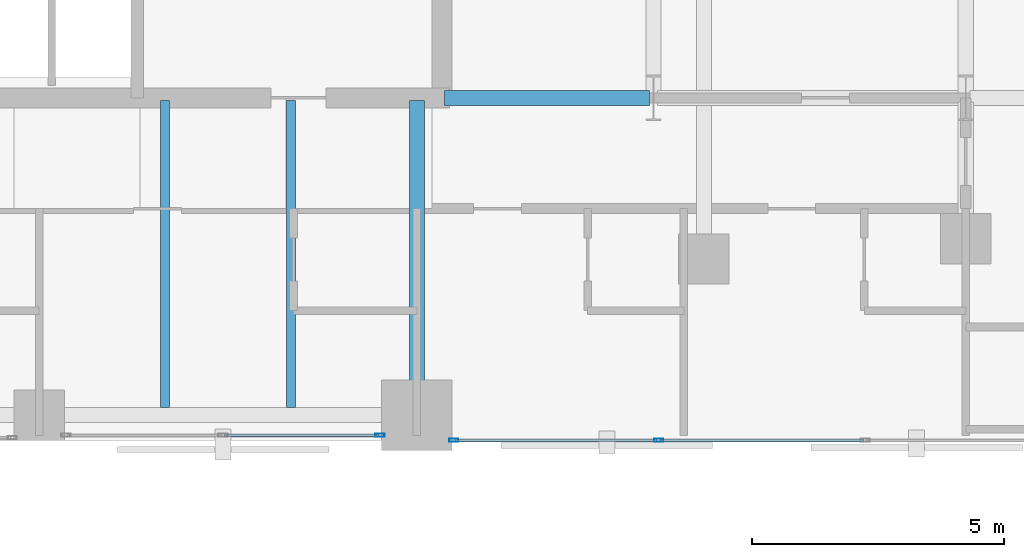
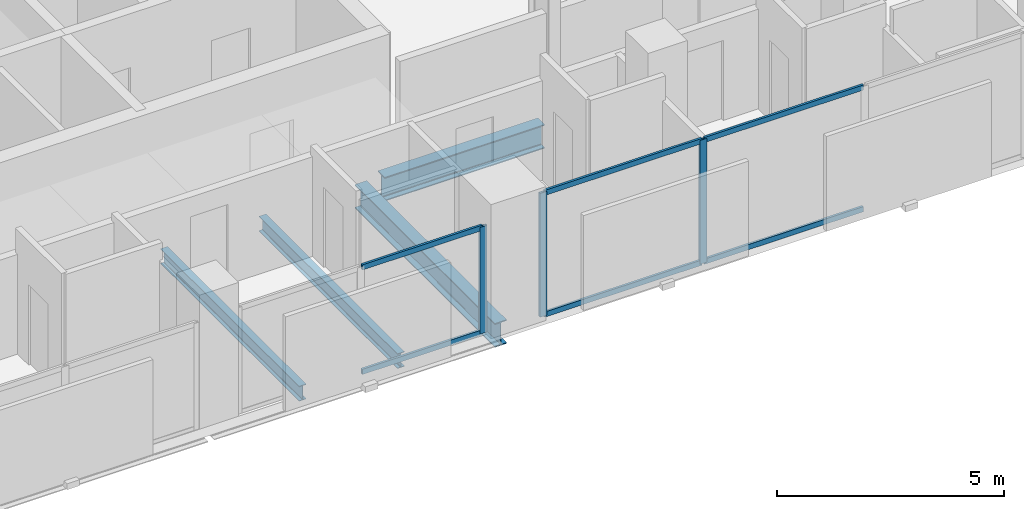
# One storey, part 14 of 32: 9 members, 4 beams, 2 elements without a shape of their own.
"""IFC4 building model written with IfcOpenShell, lengths in metres."""

from ifc_helpers import new_model, si_unit, direction, frame, origin, origin_2d, place, context, subcontext, project, spatial, hollow_rectangle, i_section, extrude, material, layer, layer_set, material_profile, profile_set, type_object, element, aggregate, save


model = new_model("IFC4")

# Units and contexts
model_context = context("Model", 3, precision=1e-05, world=origin(), true_north=direction((0.0, 1.0)))
body_context = subcontext(model_context, "Body", "Model", "MODEL_VIEW")
ifc_project = project(units=[si_unit("LENGTHUNIT", "METRE"), si_unit("AREAUNIT", "SQUARE_METRE"), si_unit("VOLUMEUNIT", "CUBIC_METRE"), si_unit("PLANEANGLEUNIT", "RADIAN"), si_unit("MASSUNIT", "GRAM", prefix="KILO")], contexts=[model_context])

# Site, building, storey
site_placement = place(None, origin())
site = spatial("IfcSite", under=ifc_project, at=site_placement, CompositionType="ELEMENT")
building_placement = place(site_placement, origin())
building = spatial("IfcBuilding", under=site, at=building_placement, Name="Catumbela Crestline Tower", CompositionType="ELEMENT")
storey_placement = place(building_placement, frame((0.0, 0.0, 29.4)))
storey = spatial("IfcBuildingStorey", under=building, at=storey_placement, Name="L06", CompositionType="ELEMENT", Elevation=29.4)

# Beams
ifc_material_1 = material(Name="Structural steel S355J2", Category="steel")
ifc_material_profile_1 = material_profile(ifc_material_1, i_section(OverallWidth=0.3, OverallDepth=0.64, WebThickness=0.0135, FlangeThickness=0.026, FilletRadius=0.027, at=origin_2d()), Name="HEA 650")
ifc_profile_set_1 = profile_set([ifc_material_profile_1], Name="Structural steel S355J2")
beam_type_1 = type_object("IfcBeamType", Name="BG-HEA650", PredefinedType="BEAM", material=ifc_profile_set_1)
beam_1_placement = place(storey_placement, frame((40.05, 30.8, -0.58), z_axis=(1.0, 0.0, 0.0), x_axis=(0.0, 1.0, 0.0)))
element("IfcBeam", 1, at=beam_1_placement, inside=storey, type_object=beam_type_1, Name="L06 Beam BM-L06-M10", PredefinedType="BEAM", context=body_context, shape_type="SweptSolid", body=[
    extrude(i_section(OverallWidth=0.3, OverallDepth=0.64, WebThickness=0.0135, FlangeThickness=0.026, FilletRadius=0.027, at=origin_2d()), origin(), (0.0, 0.0, 1.0), 4.07),
])
beam_2_placement = place(storey_placement, frame((39.5, 24.58, -0.58), z_axis=(0.0, 1.0, 0.0), x_axis=(-1.0, 0.0, 0.0)))
element("IfcBeam", 2, at=beam_2_placement, inside=storey, type_object=beam_type_1, Name="L06 Beam BM-L06-SNS34", PredefinedType="BEAM", context=body_context, shape_type="SweptSolid", body=[
    extrude(i_section(OverallWidth=0.3, OverallDepth=0.64, WebThickness=0.0135, FlangeThickness=0.026, FilletRadius=0.027, at=origin_2d()), origin(), (0.0, 0.0, 1.0), 6.17),
])
ifc_material_profile_2 = material_profile(ifc_material_1, i_section(OverallWidth=0.18, OverallDepth=0.4, WebThickness=0.0086, FlangeThickness=0.0135, FilletRadius=0.021, at=origin_2d()), Name="IPE 400")
ifc_profile_set_2 = profile_set([ifc_material_profile_2], Name="Structural steel S355J2")
beam_type_2 = type_object("IfcBeamType", Name="BJ-IPE400", PredefinedType="JOIST", material=ifc_profile_set_2)
for number, where, z_axis, x_axis, name in (
    (3, (34.5, 24.647, -0.46), (0.0, 1.0, 0.0), (-1.0, 0.0, 0.0), "L06 Joist JS-L06-SP46"),
    (4, (37.0, 24.647, -0.46), (0.0, 1.0, 0.0), (-1.0, 0.0, 0.0), "L06 Joist JS-L06-SP47"),
):
    element("IfcBeam", number, at=place(storey_placement, frame(where, z_axis=z_axis, x_axis=x_axis)), inside=storey, type_object=beam_type_2, Name=name, PredefinedType="JOIST", context=body_context, shape_type="SweptSolid", body=[
        extrude(i_section(OverallWidth=0.18, OverallDepth=0.4, WebThickness=0.0086, FlangeThickness=0.0135, FilletRadius=0.021, at=origin_2d()), origin(), (0.0, 0.0, 1.0), 6.103),
    ])

# Curtain wall, member
ifc_material_2 = material(Name="Aluminium alloy AW-6060-T66", Category="aluminium")
ifc_layer = layer(ifc_material_2, 0.18, Name="Aluminium alloy AW-6060-T66")
ifc_layer_set = layer_set([ifc_layer], Name="Aluminium alloy AW-6060-T66")
curtain_wall_type = type_object("IfcCurtainWallType", Name="CWU-Z1", PredefinedType="USERDEFINED", material=ifc_layer_set)
curtain_wall_1_placement = place(storey_placement, origin())
curtain_wall_1 = element("IfcCurtainWall", 5, at=curtain_wall_1_placement, inside=storey, type_object=curtain_wall_type, Name="L06 Unitised Curtain Wall CW-L06-E3S2", ObjectType="UNITISED", PredefinedType="USERDEFINED")
ifc_material_profile_3 = material_profile(ifc_material_2, hollow_rectangle(XDim=0.065, YDim=0.18, WallThickness=0.004, at=origin_2d()), Name="ALU 180x65x4")
ifc_profile_set_3 = profile_set([ifc_material_profile_3], Name="Aluminium alloy AW-6060-T66")
member_type_1 = type_object("IfcMemberType", Name="MUL-180X65", PredefinedType="MULLION", material=ifc_profile_set_3)
member_1_placement = place(storey_placement, frame((38.7675, 24.1, 0.0), z_axis=(0.0, 0.0, 1.0), x_axis=(0.0, 1.0, 0.0)))
member_1 = element("IfcMember", 6, at=member_1_placement, type_object=member_type_1, Name="CWU-Z1 mullion 3", PredefinedType="MULLION", context=body_context, shape_type="SweptSolid", body=[
    extrude(hollow_rectangle(XDim=0.065, YDim=0.18, WallThickness=0.004, at=origin_2d()), origin(), (0.0, 0.0, 1.0), 2.87),
])

# Curtain wall, members
curtain_wall_2_placement = place(storey_placement, origin())
curtain_wall_2 = element("IfcCurtainWall", 7, at=curtain_wall_2_placement, inside=storey, type_object=curtain_wall_type, Name="L06 Unitised Curtain Wall CW-L06-E3S3", ObjectType="UNITISED", PredefinedType="USERDEFINED")
member_2_placement = place(storey_placement, frame((40.2325, 24.0, 0.0), z_axis=(0.0, 0.0, 1.0), x_axis=(0.0, 1.0, 0.0)))
member_2 = element("IfcMember", 8, at=member_2_placement, type_object=member_type_1, Name="CWU-Z1 mullion 1", PredefinedType="MULLION", context=body_context, shape_type="SweptSolid", body=[
    extrude(hollow_rectangle(XDim=0.065, YDim=0.18, WallThickness=0.004, at=origin_2d()), origin(), (0.0, 0.0, 1.0), 3.33),
])
member_3_placement = place(storey_placement, frame((44.3, 24.0, 0.0), z_axis=(0.0, 0.0, 1.0), x_axis=(0.0, 1.0, 0.0)))
member_3 = element("IfcMember", 9, at=member_3_placement, type_object=member_type_1, Name="CWU-Z1 mullion 2", PredefinedType="MULLION", context=body_context, shape_type="SweptSolid", body=[
    extrude(hollow_rectangle(XDim=0.065, YDim=0.18, WallThickness=0.004, at=origin_2d()), origin(), (0.0, 0.0, 1.0), 3.33),
])

# Member
ifc_material_profile_4 = material_profile(ifc_material_2, hollow_rectangle(XDim=0.06, YDim=0.14, WallThickness=0.004, at=origin_2d()), Name="ALU 140x60x4")
ifc_profile_set_4 = profile_set([ifc_material_profile_4], Name="Aluminium alloy AW-6060-T66")
member_type_2 = type_object("IfcMemberType", Name="TRN-140X60", PredefinedType="USERDEFINED", material=ifc_profile_set_4)
member_4_placement = place(storey_placement, frame((35.6825, 24.1, 0.03), z_axis=(1.0, 0.0, 0.0), x_axis=(0.0, 1.0, 0.0)))
member_4 = element("IfcMember", 10, at=member_4_placement, type_object=member_type_2, Name="CWU-Z1 transom 2.1", ObjectType="TRANSOM", PredefinedType="USERDEFINED", context=body_context, shape_type="SweptSolid", body=[
    extrude(hollow_rectangle(XDim=0.06, YDim=0.14, WallThickness=0.004, at=origin_2d()), origin(), (0.0, 0.0, 1.0), 3.0525),
])

member_5_placement = place(storey_placement, frame((35.6825, 24.1, 2.84), z_axis=(1.0, 0.0, 0.0), x_axis=(0.0, 1.0, 0.0)))
member_5 = element("IfcMember", 11, at=member_5_placement, type_object=member_type_2, Name="CWU-Z1 transom 2.2", ObjectType="TRANSOM", PredefinedType="USERDEFINED", context=body_context, shape_type="SweptSolid", body=[
    extrude(hollow_rectangle(XDim=0.06, YDim=0.14, WallThickness=0.004, at=origin_2d()), origin(), (0.0, 0.0, 1.0), 3.0525),
])

aggregate(curtain_wall_1, [member_1, member_4, member_5])

member_6_placement = place(storey_placement, frame((40.265, 24.0, 0.03), z_axis=(1.0, 0.0, 0.0), x_axis=(0.0, 1.0, 0.0)))
member_6 = element("IfcMember", 12, at=member_6_placement, type_object=member_type_2, Name="CWU-Z1 transom 1.1", ObjectType="TRANSOM", PredefinedType="USERDEFINED", context=body_context, shape_type="SweptSolid", body=[
    extrude(hollow_rectangle(XDim=0.06, YDim=0.14, WallThickness=0.004, at=origin_2d()), origin(), (0.0, 0.0, 1.0), 4.0025),
])

member_7_placement = place(storey_placement, frame((40.265, 24.0, 3.3), z_axis=(1.0, 0.0, 0.0), x_axis=(0.0, 1.0, 0.0)))
member_7 = element("IfcMember", 13, at=member_7_placement, type_object=member_type_2, Name="CWU-Z1 transom 1.2", ObjectType="TRANSOM", PredefinedType="USERDEFINED", context=body_context, shape_type="SweptSolid", body=[
    extrude(hollow_rectangle(XDim=0.06, YDim=0.14, WallThickness=0.004, at=origin_2d()), origin(), (0.0, 0.0, 1.0), 4.0025),
])

member_8_placement = place(storey_placement, frame((44.3325, 24.0, 0.03), z_axis=(1.0, 0.0, 0.0), x_axis=(0.0, 1.0, 0.0)))
member_8 = element("IfcMember", 14, at=member_8_placement, type_object=member_type_2, Name="CWU-Z1 transom 2.1", ObjectType="TRANSOM", PredefinedType="USERDEFINED", context=body_context, shape_type="SweptSolid", body=[
    extrude(hollow_rectangle(XDim=0.06, YDim=0.14, WallThickness=0.004, at=origin_2d()), origin(), (0.0, 0.0, 1.0), 4.035),
])

member_9_placement = place(storey_placement, frame((44.3325, 24.0, 3.3), z_axis=(1.0, 0.0, 0.0), x_axis=(0.0, 1.0, 0.0)))
member_9 = element("IfcMember", 15, at=member_9_placement, type_object=member_type_2, Name="CWU-Z1 transom 2.2", ObjectType="TRANSOM", PredefinedType="USERDEFINED", context=body_context, shape_type="SweptSolid", body=[
    extrude(hollow_rectangle(XDim=0.06, YDim=0.14, WallThickness=0.004, at=origin_2d()), origin(), (0.0, 0.0, 1.0), 4.035),
])

aggregate(curtain_wall_2, [member_2, member_3, member_6, member_7, member_8, member_9])

save(model, "model.ifc")
